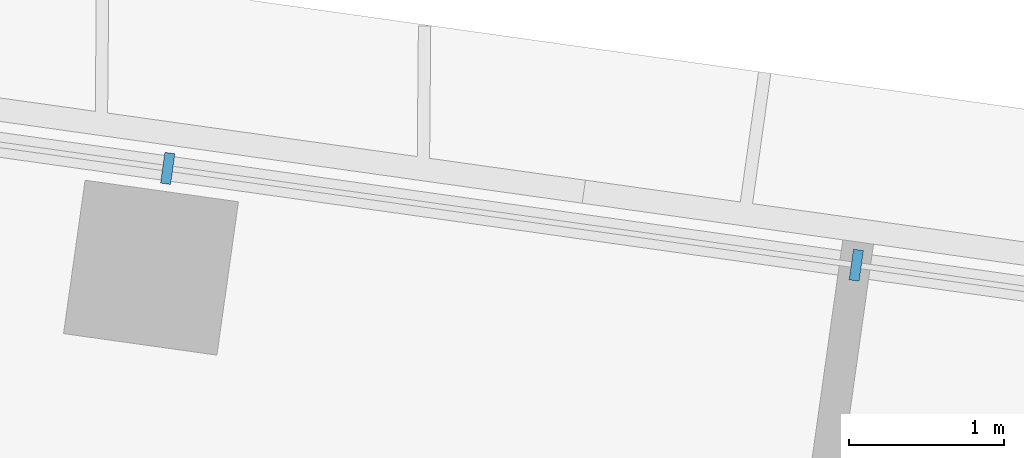
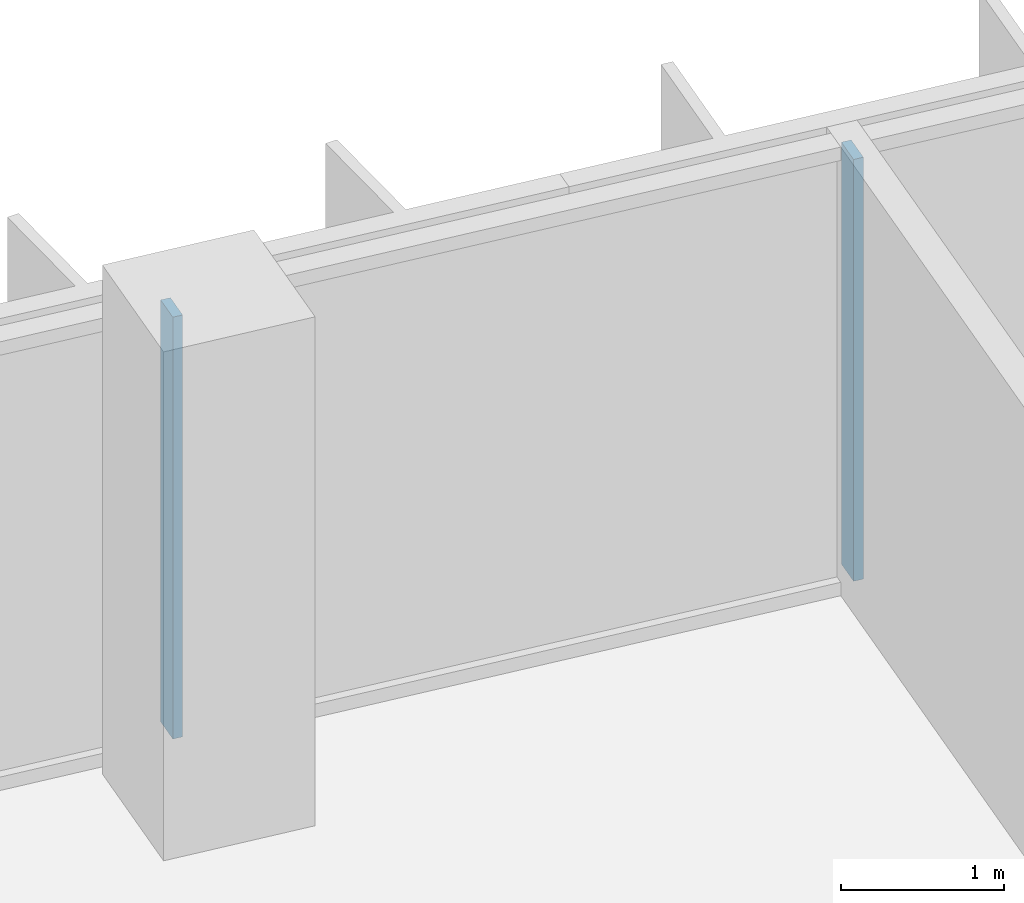
# One storey, part 3 of 24: 2 members, 1 element without a shape of its own.
"""IFC4 building model written with IfcOpenShell, lengths in metres."""

import ifcopenshell
import ifcopenshell.guid

model = None  # the IFC model being written
_history = None  # IfcOwnerHistory: only IFC2X3 demands one
_inside = {}  # id of a spatial element -> (the spatial element, [elements in it])
_under = {}  # id of a project, library or spatial element -> (it, [spatial elements below it])
_declared = {}  # id of a project -> (the project, [libraries it declares])
_typed = {}  # id of a type object -> (the type object, [elements of that type])
_made_of = {}  # id of a material, layer set ... -> (it, [elements and type objects made of it])


def new_model(schema):
    """Start an empty IFC model of exactly this schema.

    Asked for "IFC4X3", IfcOpenShell would pick the latest addendum, in which some entities
    have other attributes; the version numbers below select the first issue.
    IFC2X3 requires an IfcOwnerHistory on every rooted entity: one is made here for all.
    """
    global model, _history
    if schema == "IFC4X3":
        model = ifcopenshell.file(schema_version=(4, 3, 0, 0))
    else:
        model = ifcopenshell.file(schema=schema)
    _inside.clear()
    _under.clear()
    _declared.clear()
    _typed.clear()
    _made_of.clear()
    _history = None
    if model.schema == "IFC2X3":
        org = make("IfcOrganization", Name="unknown")
        user = make(
            "IfcPersonAndOrganization",
            ThePerson=make("IfcPerson", FamilyName="unknown"),
            TheOrganization=org,
        )
        app = make(
            "IfcApplication",
            ApplicationDeveloper=org,
            Version="unknown",
            ApplicationFullName="unknown",
            ApplicationIdentifier="unknown",
        )
        _history = make(
            "IfcOwnerHistory",
            OwningUser=user,
            OwningApplication=app,
            ChangeAction="ADDED",
            CreationDate=0,
        )
    return model


def make(cls, **values):
    """One entity of the class cls with the attributes given. An attribute that is None is left unset."""
    return model.create_entity(
        cls, **{name: value for name, value in values.items() if value is not None}
    )


def rooted(cls, **values):
    """An entity with a GlobalId (a new one), such as an element, a storey or a relation."""
    return make(cls, GlobalId=ifcopenshell.guid.new(), OwnerHistory=_history, **values)


def si_unit(unit_type, name, prefix=None):
    """IfcSIUnit, for example si_unit("LENGTHUNIT", "METRE", prefix="MILLI")."""
    return make("IfcSIUnit", UnitType=unit_type, Prefix=prefix, Name=name)


def assignment(units):
    """IfcUnitAssignment: the units of a project."""
    return None if units is None else make("IfcUnitAssignment", Units=units)


def point(xyz):
    """IfcCartesianPoint."""
    return None if xyz is None else make("IfcCartesianPoint", Coordinates=xyz)


def direction(xyz):
    """IfcDirection."""
    return None if xyz is None else make("IfcDirection", DirectionRatios=xyz)


def frame(location, z_axis=None, x_axis=None):
    """IfcAxis2Placement3D, a coordinate frame: its origin and axes. An axis left out is left unset."""
    return make(
        "IfcAxis2Placement3D",
        Location=point(location),
        Axis=direction(z_axis),
        RefDirection=direction(x_axis),
    )


def frame_2d(location, x_axis=None):
    """IfcAxis2Placement2D, a coordinate frame in the plane: its origin and x axis."""
    return make(
        "IfcAxis2Placement2D", Location=point(location), RefDirection=direction(x_axis)
    )


def origin():
    """The frame at (0, 0, 0) with its axes left unset."""
    return frame((0.0, 0.0, 0.0))


def origin_2d():
    """The frame at (0, 0) in the plane with its x axis left unset."""
    return frame_2d((0.0, 0.0))


def place(relative_to, where):
    """IfcLocalPlacement: puts the frame where relative to a parent placement (None: the world)."""
    return make(
        "IfcLocalPlacement", PlacementRelTo=relative_to, RelativePlacement=where
    )


def context(
    kind, dimensions, precision=None, world=None, true_north=None, identifier=None
):
    """IfcGeometricRepresentationContext, for example the 3D "Model" context."""
    return make(
        "IfcGeometricRepresentationContext",
        ContextIdentifier=identifier,
        ContextType=kind,
        CoordinateSpaceDimension=dimensions,
        Precision=precision,
        WorldCoordinateSystem=world,
        TrueNorth=true_north,
    )


def subcontext(parent, identifier, kind, view, scale=None):
    """IfcGeometricRepresentationSubContext, for example "Body" below "Model"."""
    return make(
        "IfcGeometricRepresentationSubContext",
        ContextIdentifier=identifier,
        ContextType=kind,
        ParentContext=parent,
        TargetScale=scale,
        TargetView=view,
    )


def project(units=None, contexts=None):
    """IfcProject with its units and contexts."""
    return rooted(
        "IfcProject",
        Name="project",
        RepresentationContexts=contexts,
        UnitsInContext=assignment(units),
    )


def spatial(cls, under=None, at=None, **own):
    """A site, building, storey or space (cls), placed at a placement, below another one or the project."""
    s = rooted(cls, ObjectPlacement=at, **own)
    if under is not None:
        _under.setdefault(under.id(), (under, []))[1].append(s)
    return s


def profile(cls, at=None, kind="AREA", **sizes):
    """A parametric profile (cls). Its sizes go by their IFC names, for example OverallWidth=200.0."""
    return make(cls, ProfileType=kind, Position=at, **sizes)


def rectangle(**sizes):
    """IfcRectangleProfileDef."""
    return profile("IfcRectangleProfileDef", **sizes)


def extrude(swept, where, along, depth):
    """IfcExtrudedAreaSolid: the profile swept, set in the frame where, extruded along a direction by depth."""
    return make(
        "IfcExtrudedAreaSolid",
        SweptArea=swept,
        Position=where,
        ExtrudedDirection=direction(along),
        Depth=depth,
    )


def shape(context_of_items, identifier, shape_type, items):
    """IfcShapeRepresentation: the items that make up one representation, for example the "Body"."""
    return make(
        "IfcShapeRepresentation",
        ContextOfItems=context_of_items,
        RepresentationIdentifier=identifier,
        RepresentationType=shape_type,
        Items=items,
    )


def material(Name=None, Category=None):
    """IfcMaterial."""
    return make("IfcMaterial", Name=Name, Category=Category)


def material_profile(
    of_material, cross_section, Name=None, Category=None, Priority=None
):
    """IfcMaterialProfile: a cross section and its material."""
    return make(
        "IfcMaterialProfile",
        Name=Name,
        Material=of_material,
        Profile=cross_section,
        Priority=Priority,
        Category=Category,
    )


def profile_set(profiles, Name=None, composite=None):
    """IfcMaterialProfileSet."""
    return make(
        "IfcMaterialProfileSet",
        Name=Name,
        MaterialProfiles=profiles,
        CompositeProfile=composite,
    )


def made_of(thing, what):
    """Note that an element or type object is made of a material, layer set ...; save() writes the relation."""
    if what is not None:
        _made_of.setdefault(what.id(), (what, []))[1].append(thing)
    return thing


def type_object(cls, material=None, **own):
    """A type object (cls), such as IfcWallType, which elements share."""
    return made_of(rooted(cls, **own), material)


def element(
    cls,
    number,
    at=None,
    inside=None,
    cuts=None,
    type_object=None,
    material=None,
    context=None,
    identifier="Body",
    shape_type=None,
    held_by="IfcProductDefinitionShape",
    body=None,
    shapes=None,
    **own,
):
    """One element of the class cls, such as IfcWall. Its Tag is "e" and its number.

    at: its placement. inside: the storey or other place that contains it. cuts: it is an
    opening in that element (IfcRelVoidsElement). A single representation is given by context,
    identifier, shape_type and body (its items); several are given by shapes. held_by: the class
    of the entity that holds the representations. save() writes the other relations.
    """
    e = rooted(cls, Tag="e%d" % number, ObjectPlacement=at, **own)
    if body is not None:
        shapes = [shape(context, identifier, shape_type, body)]
    if shapes is not None:
        e.Representation = make(held_by, Representations=shapes)
    if inside is not None:
        _inside.setdefault(inside.id(), (inside, []))[1].append(e)
    if cuts is not None:
        rooted(
            "IfcRelVoidsElement", RelatingBuildingElement=cuts, RelatedOpeningElement=e
        )
    if type_object is not None:
        _typed.setdefault(type_object.id(), (type_object, []))[1].append(e)
    return made_of(e, material)


def aggregate(whole, parts):
    """IfcRelAggregates: a whole, such as a stair, and the parts it consists of."""
    return rooted("IfcRelAggregates", RelatingObject=whole, RelatedObjects=parts)


def save(model, path):
    """Write the relations noted so far, then the file.

    IfcRelAggregates (storeys below a building ...), IfcRelContainedInSpatialStructure (elements
    in a storey), IfcRelDefinesByType, IfcRelAssociatesMaterial and IfcRelDeclares: one each for
    every whole, place, type object, material and project.
    """
    for whole, parts in _under.values():
        aggregate(whole, parts)
    for where, things in _inside.values():
        rooted(
            "IfcRelContainedInSpatialStructure",
            RelatedElements=things,
            RelatingStructure=where,
        )
    for kind, things in _typed.values():
        rooted("IfcRelDefinesByType", RelatedObjects=things, RelatingType=kind)
    for what, things in _made_of.values():
        rooted("IfcRelAssociatesMaterial", RelatedObjects=things, RelatingMaterial=what)
    for by, libraries in _declared.values():
        rooted("IfcRelDeclares", RelatingContext=by, RelatedDefinitions=libraries)
    model.write(path)


model = new_model("IFC4")

# Units and contexts
model_context = context("Model", 3, precision=1e-05, world=origin(), true_north=direction((0.0, 1.0)))
body_context = subcontext(model_context, "Body", "Model", "MODEL_VIEW")
ifc_project = project(units=[si_unit("LENGTHUNIT", "METRE"), si_unit("AREAUNIT", "SQUARE_METRE"), si_unit("VOLUMEUNIT", "CUBIC_METRE"), si_unit("PLANEANGLEUNIT", "RADIAN"), si_unit("MASSUNIT", "GRAM", prefix="KILO")], contexts=[model_context])

# Site, building, storey
site_placement = place(None, origin())
site = spatial("IfcSite", under=ifc_project, at=site_placement, CompositionType="ELEMENT")
building_placement = place(site_placement, origin())
building = spatial("IfcBuilding", under=site, at=building_placement, Name="Mirante Cascada Hotel Towers", CompositionType="ELEMENT")
storey_placement = place(building_placement, frame((0.0, 0.0, 85.1)))
storey = spatial("IfcBuildingStorey", under=building, at=storey_placement, Name="L18", CompositionType="ELEMENT", Elevation=85.1)

# Curtain wall, members
ifc_material_1 = material(Name="Aluminium mullion and transom frame with clear laminated glass", Category="aluminium")
curtain_wall_type = type_object("IfcCurtainWallType", Name="Ribbon curtain wall ECW1", PredefinedType="NOTDEFINED", material=ifc_material_1)
curtain_wall_placement = place(storey_placement, origin())
curtain_wall = element("IfcCurtainWall", 1, at=curtain_wall_placement, inside=storey, type_object=curtain_wall_type, Name="Front ribbon wall T1 L18", PredefinedType="NOTDEFINED")
ifc_material_2 = material(Name="Anodised aluminium extrusion", Category="aluminium")
ifc_material_profile = material_profile(ifc_material_2, rectangle(XDim=0.2, YDim=0.065, at=origin_2d()), Name="ECW1 MULLION 65x200")
ifc_profile_set = profile_set([ifc_material_profile], Name="Anodised aluminium extrusion")
member_type = type_object("IfcMemberType", Name="ECW1 mullion 65x200", PredefinedType="MULLION", material=ifc_profile_set)
member_1_placement = place(storey_placement, frame((-71.9211, 22.9269, 0.1), z_axis=(0.0, 0.0, 1.0), x_axis=(0.1391731, 0.9902681, 0.0)))
member_1 = element("IfcMember", 2, at=member_1_placement, type_object=member_type, Name="ECW1 mullion 6", PredefinedType="MULLION", context=body_context, shape_type="SweptSolid", body=[
    extrude(rectangle(XDim=0.2, YDim=0.065, at=origin_2d()), origin(), (0.0, 0.0, 1.0), 3.15),
])
member_2_placement = place(storey_placement, frame((-67.4737, 22.3018, 0.1), z_axis=(0.0, 0.0, 1.0), x_axis=(0.1391731, 0.9902681, 0.0)))
member_2 = element("IfcMember", 3, at=member_2_placement, type_object=member_type, Name="ECW1 mullion 7", PredefinedType="MULLION", context=body_context, shape_type="SweptSolid", body=[
    extrude(rectangle(XDim=0.2, YDim=0.065, at=origin_2d()), origin(), (0.0, 0.0, 1.0), 3.15),
])
aggregate(curtain_wall, [member_1, member_2])

save(model, "model.ifc")
